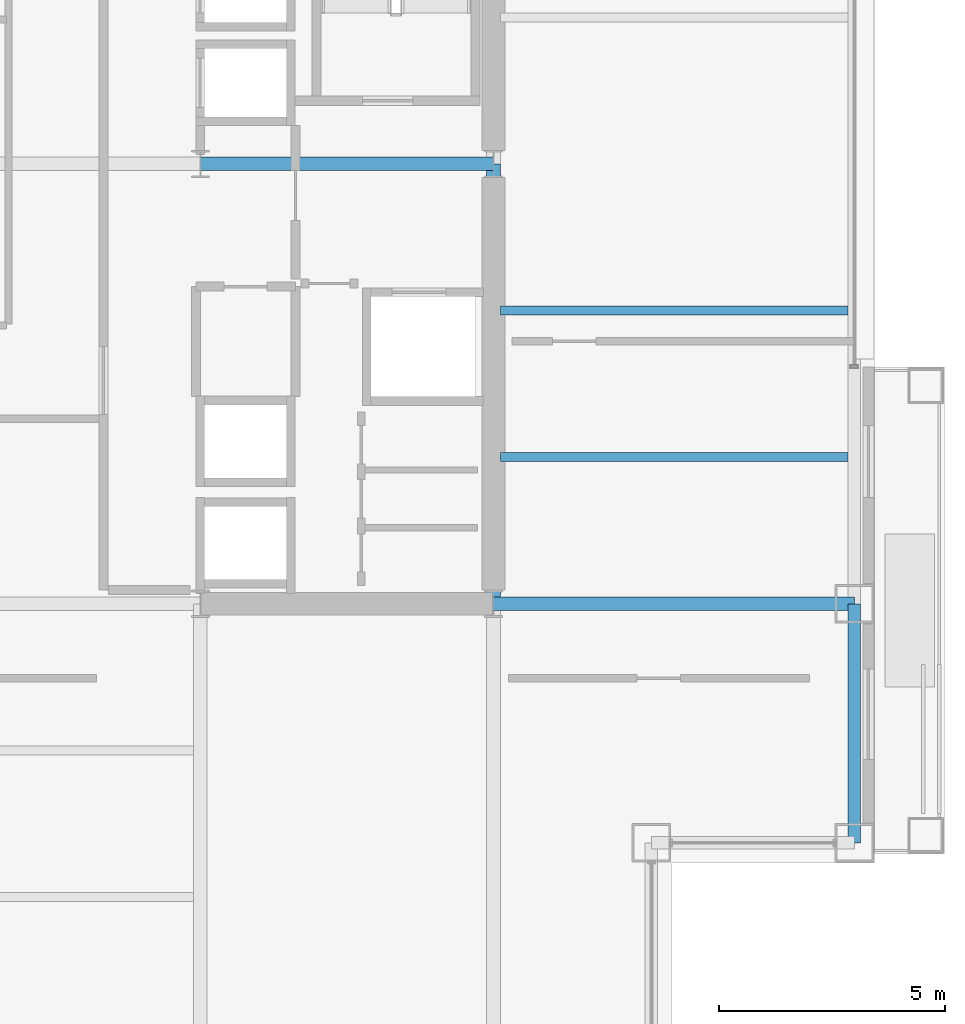
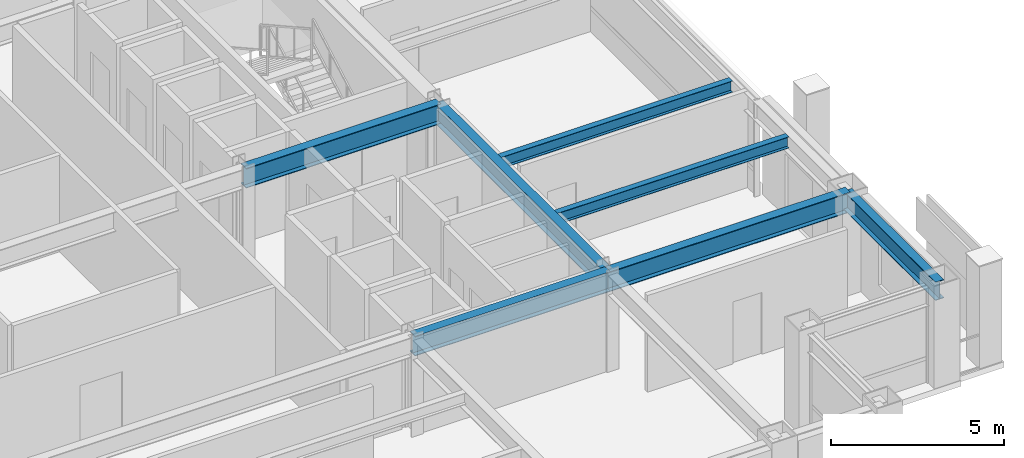
# One storey, part 14 of 31: 7 beams.
"""IFC4 building model written with IfcOpenShell, lengths in metres."""

from ifc_helpers import new_model, si_unit, direction, frame, origin, origin_2d, place, context, subcontext, project, spatial, i_section, extrude, material, material_profile, profile_set, type_object, element, save


model = new_model("IFC4")

# Units and contexts
model_context = context("Model", 3, precision=1e-05, world=origin(), true_north=direction((0.0, 1.0)))
body_context = subcontext(model_context, "Body", "Model", "MODEL_VIEW")
ifc_project = project(units=[si_unit("LENGTHUNIT", "METRE"), si_unit("AREAUNIT", "SQUARE_METRE"), si_unit("VOLUMEUNIT", "CUBIC_METRE"), si_unit("PLANEANGLEUNIT", "RADIAN"), si_unit("MASSUNIT", "GRAM", prefix="KILO")], contexts=[model_context])

# Site, building, storey
site_placement = place(None, origin())
site = spatial("IfcSite", under=ifc_project, at=site_placement, CompositionType="ELEMENT")
building_placement = place(site_placement, origin())
building = spatial("IfcBuilding", under=site, at=building_placement, Name="Brelmoor Portico Tower", CompositionType="ELEMENT")
storey_placement = place(building_placement, frame((0.0, 0.0, 106.199951171875)))
storey = spatial("IfcBuildingStorey", under=building, at=storey_placement, Name="L27", CompositionType="ELEMENT", Elevation=106.199951171875)

# Beams
ifc_material = material(Name="Steel Q355B", Category="steel")
ifc_material_profile_1 = material_profile(ifc_material, i_section(OverallWidth=0.199951171875, OverallDepth=0.39990234375, WebThickness=0.008056640625, FlangeThickness=0.012939453125, at=origin_2d()), Name="HN 400x200x8x13")
ifc_profile_set_1 = profile_set([ifc_material_profile_1], Name="Steel Q355B")
beam_type_1 = type_object("IfcBeamType", Name="BM-JS-400", PredefinedType="JOIST", material=ifc_profile_set_1)
for number, where, z_axis, x_axis, name in (
    (1, (14.699951171875, -6.5, 3.199951171875), (1.0, 0.0, 0.0), (0.0, 1.0, 0.0), "L27 Secondary Wing Joist JS-E09"),
    (2, (14.699951171875, -3.25, 3.199951171875), (1.0, 0.0, 0.0), (0.0, 1.0, 0.0), "L27 Secondary Wing Joist JS-E10"),
):
    element("IfcBeam", number, at=place(storey_placement, frame(where, z_axis=z_axis, x_axis=x_axis)), inside=storey, type_object=beam_type_1, Name=name, PredefinedType="JOIST", context=body_context, shape_type="SweptSolid", body=[
        extrude(i_section(OverallWidth=0.199951171875, OverallDepth=0.39990234375, WebThickness=0.008056640625, FlangeThickness=0.012939453125, at=origin_2d()), origin(), (0.0, 0.0, 1.0), 7.7099609375),
    ])
ifc_material_profile_2 = material_profile(ifc_material, i_section(OverallWidth=0.300048828125, OverallDepth=0.699951171875, WebThickness=0.012939453125, FlangeThickness=0.02392578125, at=origin_2d()), Name="HN 700x300x13x24")
ifc_profile_set_2 = profile_set([ifc_material_profile_2], Name="Steel Q355B")
beam_type_2 = type_object("IfcBeamType", Name="BM-PG-700", PredefinedType="BEAM", material=ifc_profile_set_2)
beam_1_placement = place(storey_placement, frame((14.550048828125, -9.75, 3.050048828125), z_axis=(0.0, 1.0, 0.0), x_axis=(-1.0, 0.0, 0.0)))
element("IfcBeam", 3, at=beam_1_placement, inside=storey, type_object=beam_type_2, Name="L27 Primary Floor Girder PG-11", PredefinedType="BEAM", context=body_context, shape_type="SweptSolid", body=[
    extrude(i_section(OverallWidth=0.300048828125, OverallDepth=0.699951171875, WebThickness=0.012939453125, FlangeThickness=0.02392578125, at=origin_2d()), origin(), (0.0, 0.0, 1.0), 9.75),
])
beam_2_placement = place(storey_placement, frame((8.050048828125, -9.75, 3.050048828125), z_axis=(1.0, 0.0, 0.0), x_axis=(0.0, 1.0, 0.0)))
element("IfcBeam", 4, at=beam_2_placement, inside=storey, type_object=beam_type_2, Name="L27 Primary Floor Girder PG-17", PredefinedType="BEAM", context=body_context, shape_type="SweptSolid", body=[
    extrude(i_section(OverallWidth=0.300048828125, OverallDepth=0.699951171875, WebThickness=0.012939453125, FlangeThickness=0.02392578125, at=origin_2d()), origin(), (0.0, 0.0, 1.0), 6.5),
])
beam_3_placement = place(storey_placement, frame((14.550048828125, -9.75, 3.050048828125), z_axis=(1.0, 0.0, 0.0), x_axis=(0.0, 1.0, 0.0)))
element("IfcBeam", 5, at=beam_3_placement, inside=storey, type_object=beam_type_2, Name="L27 Primary Floor Girder PG-18", PredefinedType="BEAM", context=body_context, shape_type="SweptSolid", body=[
    extrude(i_section(OverallWidth=0.300048828125, OverallDepth=0.699951171875, WebThickness=0.012939453125, FlangeThickness=0.02392578125, at=origin_2d()), origin(), (0.0, 0.0, 1.0), 8.0),
])
beam_4_placement = place(storey_placement, frame((8.050048828125, 0.0, 3.050048828125), z_axis=(1.0, 0.0, 0.0), x_axis=(0.0, 1.0, 0.0)))
element("IfcBeam", 6, at=beam_4_placement, inside=storey, type_object=beam_type_2, Name="L27 Primary Floor Girder PG-21", PredefinedType="BEAM", context=body_context, shape_type="SweptSolid", body=[
    extrude(i_section(OverallWidth=0.300048828125, OverallDepth=0.699951171875, WebThickness=0.012939453125, FlangeThickness=0.02392578125, at=origin_2d()), origin(), (0.0, 0.0, 1.0), 6.5),
])
ifc_material_profile_3 = material_profile(ifc_material, i_section(OverallWidth=0.280029296875, OverallDepth=0.64990234375, WebThickness=0.012939453125, FlangeThickness=0.02197265625, at=origin_2d()), Name="HN 650x280x13x22")
ifc_profile_set_3 = profile_set([ifc_material_profile_3], Name="Steel Q355B")
beam_type_3 = type_object("IfcBeamType", Name="BM-SP-650", PredefinedType="SPANDREL", material=ifc_profile_set_3)
beam_5_placement = place(storey_placement, frame((22.550048828125, -15.050048828125, 3.074951171875), z_axis=(0.0, 1.0, 0.0), x_axis=(-1.0, 0.0, 0.0)))
element("IfcBeam", 7, at=beam_5_placement, inside=storey, type_object=beam_type_3, Name="L27 Perimeter Spandrel Beam SP-22", PredefinedType="SPANDREL", context=body_context, shape_type="SweptSolid", body=[
    extrude(i_section(OverallWidth=0.280029296875, OverallDepth=0.64990234375, WebThickness=0.012939453125, FlangeThickness=0.02197265625, at=origin_2d()), origin(), (0.0, 0.0, 1.0), 5.300048828125),
])

save(model, "model.ifc")
